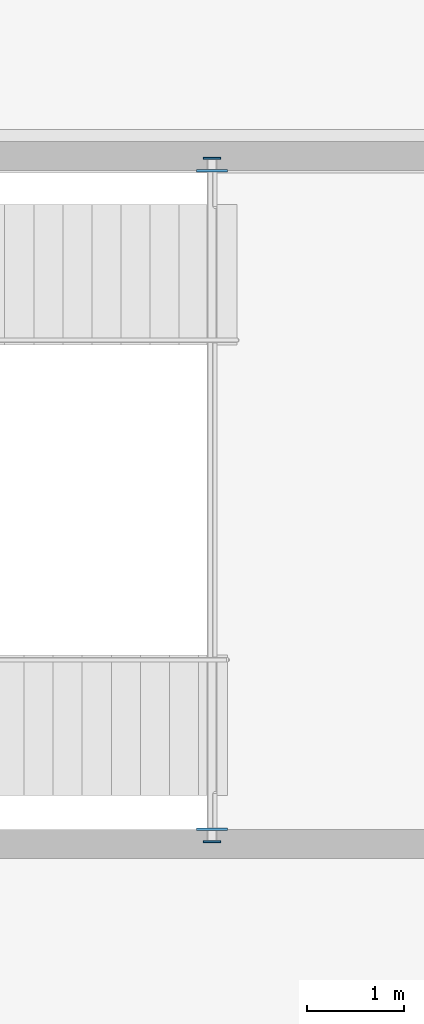
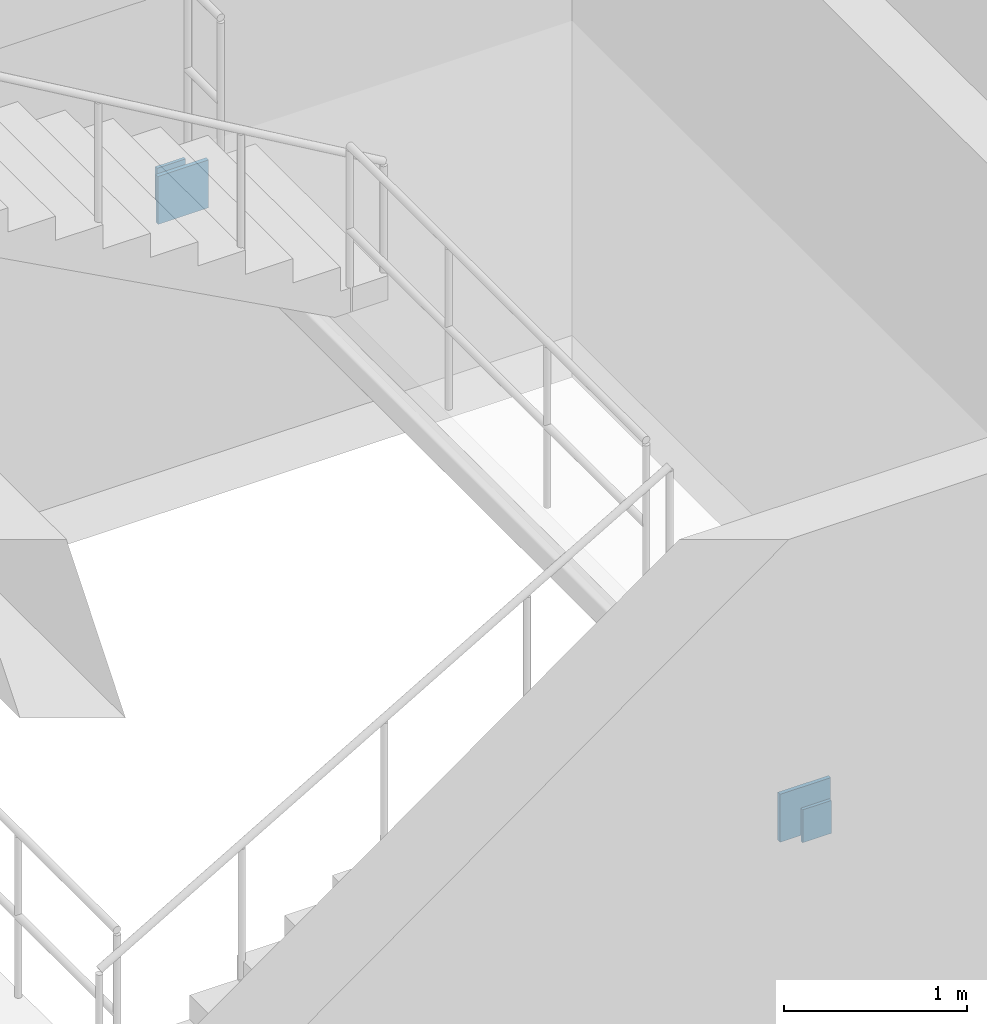
# One storey, part 19 of 35: 4 plates.
"""IFC4 building model written with IfcOpenShell, lengths in metres."""

from ifc_helpers import new_model, si_unit, direction, frame, origin, origin_2d, place, context, subcontext, project, spatial, rectangle, extrude, material, layer, layer_set, type_object, element, save


model = new_model("IFC4")

# Units and contexts
model_context = context("Model", 3, precision=1e-05, world=origin(), true_north=direction((0.0, 1.0)))
body_context = subcontext(model_context, "Body", "Model", "MODEL_VIEW")
ifc_project = project(units=[si_unit("LENGTHUNIT", "METRE"), si_unit("AREAUNIT", "SQUARE_METRE"), si_unit("VOLUMEUNIT", "CUBIC_METRE"), si_unit("PLANEANGLEUNIT", "RADIAN"), si_unit("MASSUNIT", "GRAM", prefix="KILO"), si_unit("THERMODYNAMICTEMPERATUREUNIT", "KELVIN"), si_unit("POWERUNIT", "WATT")], contexts=[model_context])

# Site, building, storey
site_placement = place(None, origin())
site = spatial("IfcSite", under=ifc_project, at=site_placement, CompositionType="ELEMENT")
building_placement = place(site_placement, origin())
building = spatial("IfcBuilding", under=site, at=building_placement, Name="Solvatero Civic Police Headquarters", CompositionType="ELEMENT")
storey_placement = place(building_placement, frame((0.0, 0.0, -4.199951171875)))
storey = spatial("IfcBuildingStorey", under=building, at=storey_placement, Name="B01", CompositionType="ELEMENT", Elevation=-4.199951171875)

# Plates
ifc_material = material(Name="Steel S355", Category="steel")
ifc_layer_1 = layer(ifc_material, 0.02001953125)
ifc_layer_set_1 = layer_set([ifc_layer_1], Name="Steel S355")
plate_type_1 = type_object("IfcPlateType", Name="PLT-CAP-20", PredefinedType="SHEET", material=ifc_layer_set_1)
for number, where, z_axis, x_axis, name in (
    (1, (163.93994140625, 8.070068359375, 1.71484375), (0.0, 0.0, 1.0), (1.0, 0.0, 0.0), "Hollow Section Cap Plate 0073"),
    (2, (163.93994140625, 15.1298828125, 1.71484375), (0.0, 0.0, 1.0), (1.0, 0.0, 0.0), "Hollow Section Cap Plate 0074"),
):
    element("IfcPlate", number, at=place(storey_placement, frame(where, z_axis=z_axis, x_axis=x_axis)), inside=storey, type_object=plate_type_1, Name=name, PredefinedType="SHEET", context=body_context, shape_type="SweptSolid", body=[
        extrude(rectangle(XDim=0.179931640625, YDim=0.02001953125, at=origin_2d()), origin(), (0.0, 0.0, 1.0), 0.219970703125),
    ])
ifc_layer_2 = layer(ifc_material, 0.02490234375)
ifc_layer_set_2 = layer_set([ifc_layer_2], Name="Steel S355")
plate_type_2 = type_object("IfcPlateType", Name="PLT-EMB-25", PredefinedType="SHEET", material=ifc_layer_set_2)
for number, where, z_axis, x_axis, name in (
    (3, (163.93994140625, 8.199951171875, 1.6650390625), (0.0, 0.0, 1.0), (1.0, 0.0, 0.0), "Cast-In Shear Wall Embed Plate 0073"),
    (4, (163.93994140625, 15.0, 1.6650390625), (0.0, 0.0, 1.0), (1.0, 0.0, 0.0), "Cast-In Shear Wall Embed Plate 0074"),
):
    element("IfcPlate", number, at=place(storey_placement, frame(where, z_axis=z_axis, x_axis=x_axis)), inside=storey, type_object=plate_type_2, Name=name, PredefinedType="SHEET", context=body_context, shape_type="SweptSolid", body=[
        extrude(rectangle(XDim=0.320068359375, YDim=0.02490234375, at=origin_2d()), origin(), (0.0, 0.0, 1.0), 0.320068359375),
    ])

save(model, "model.ifc")
